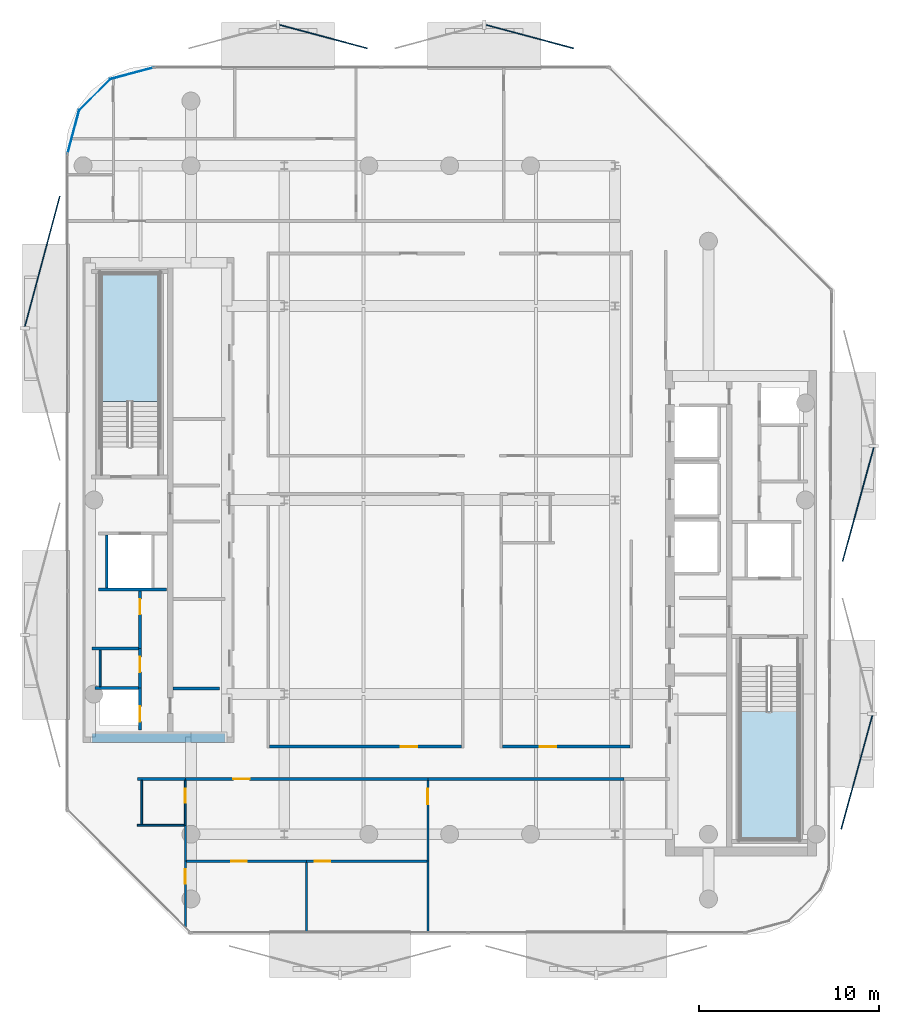
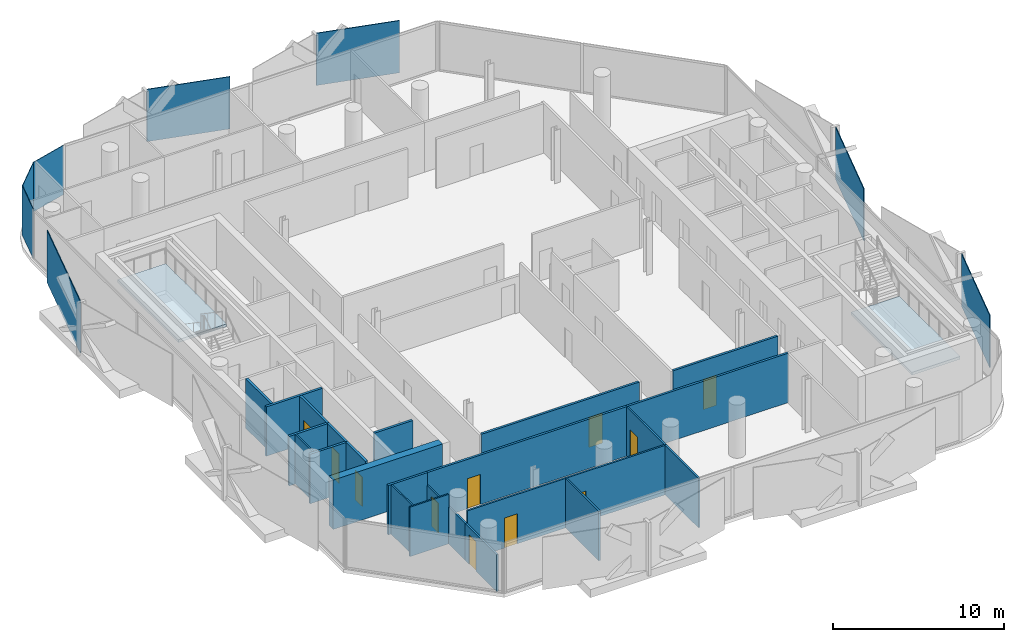
# One storey, part 4 of 16: 25 walls, 11 doors, 8 plates, 2 slabs, 11 openings, 2 elements without a shape of their own.
"""IFC4 building model written with IfcOpenShell, lengths in metres."""

from ifc_helpers import new_model, si_unit, direction, frame, frame_2d, origin, origin_2d, place, context, subcontext, project, spatial, polyline, rectangle, outline, extrude, material, layer, layer_set, type_object, element, fill, aggregate, save


model = new_model("IFC4")

# Units and contexts
model_context = context("Model", 3, precision=1e-05, world=origin(), true_north=direction((0.0, 1.0)))
body_context = subcontext(model_context, "Body", "Model", "MODEL_VIEW")
ifc_project = project(units=[si_unit("LENGTHUNIT", "METRE"), si_unit("AREAUNIT", "SQUARE_METRE"), si_unit("VOLUMEUNIT", "CUBIC_METRE"), si_unit("PLANEANGLEUNIT", "RADIAN"), si_unit("MASSUNIT", "GRAM", prefix="KILO")], contexts=[model_context])

# Site, building, storey
site_placement = place(None, origin())
site = spatial("IfcSite", under=ifc_project, at=site_placement, CompositionType="ELEMENT")
building_placement = place(site_placement, origin())
building = spatial("IfcBuilding", under=site, at=building_placement, Name="Khairoan Windgate Tower", CompositionType="ELEMENT")
storey_placement = place(building_placement, frame((0.0, 0.0, 292.800048828125)))
storey = spatial("IfcBuildingStorey", under=building, at=storey_placement, Name="L70", CompositionType="ELEMENT", Elevation=292.800048828125)

# Plates
ifc_material_1 = material(Name="Low-E Solar Control Laminated Glass", Category="glass")
ifc_layer_1 = layer(ifc_material_1, 0.030029296875, Name="Low-E Solar Control Laminated Glass")
ifc_layer_set_1 = layer_set([ifc_layer_1], Name="Low-E Solar Control Laminated Glass")
plate_type_1 = type_object("IfcPlateType", Name="Aerodynamic Wind-Corner Curved Glazing Plate", PredefinedType="USERDEFINED", material=ifc_layer_set_1)
plate_1_placement = place(storey_placement, frame((-20.940673828125, 20.485107421875, 0.0), z_axis=(0.0, 0.0, 1.0), x_axis=(0.258313252067, 0.966061211211, 0.0)))
element("IfcPlate", 1, at=plate_1_placement, inside=storey, type_object=plate_type_1, Name="L70 Aerodynamic Wind-Corner Curved Glazing Panel 4", ObjectType="GLAZING PANEL", PredefinedType="USERDEFINED", context=body_context, shape_type="SweptSolid", body=[
    extrude(rectangle(XDim=2.512451171875, YDim=0.035888671875, at=origin_2d()), origin(), (0.0, 0.0, 1.0), 3.5400390625),
])
plate_2_placement = place(storey_placement, frame((-19.750244140625, 22.55029296875, 0.0), z_axis=(0.0, 0.0, 1.0), x_axis=(0.707106781187, 0.707106781187, 0.0)))
element("IfcPlate", 2, at=plate_2_placement, inside=storey, type_object=plate_type_1, Name="L70 Aerodynamic Wind-Corner Curved Glazing Panel 5", ObjectType="GLAZING PANEL", PredefinedType="USERDEFINED", context=body_context, shape_type="SweptSolid", body=[
    extrude(rectangle(XDim=2.50341796875, YDim=0.035888671875, at=origin_2d()), origin(), (0.0, 0.0, 1.0), 3.5400390625),
])
plate_3_placement = place(storey_placement, frame((-17.68505859375, 23.740478515625, 0.0), z_axis=(0.0, 0.0, 1.0), x_axis=(0.966061211211, 0.258313252067, 0.0)))
element("IfcPlate", 3, at=plate_3_placement, inside=storey, type_object=plate_type_1, Name="L70 Aerodynamic Wind-Corner Curved Glazing Panel 6", ObjectType="GLAZING PANEL", PredefinedType="USERDEFINED", context=body_context, shape_type="SweptSolid", body=[
    extrude(rectangle(XDim=2.512451171875, YDim=0.035888671875, at=origin_2d()), origin(), (0.0, 0.0, 1.0), 3.5400390625),
])
ifc_material_2 = material(Name="Anodised Bronze Aluminium 6063-T6", Category="aluminium")
ifc_layer_2 = layer(ifc_material_2, 0.054931640625, Name="Anodised Bronze Aluminium 6063-T6")
ifc_layer_set_2 = layer_set([ifc_layer_2], Name="Anodised Bronze Aluminium 6063-T6")
plate_type_2 = type_object("IfcPlateType", Name="Perforated Bronze Solar Screen Upper Panel BSP-2", PredefinedType="USERDEFINED", material=ifc_layer_set_2)
plate_4_placement = place(storey_placement, frame((-22.668212890625, 13.274169921875, -0.10009765625), z_axis=(0.0, 0.0, 1.0), x_axis=(0.258819045103, 0.965925826289, 0.0)))
element("IfcPlate", 4, at=plate_4_placement, inside=storey, type_object=plate_type_2, Name="L70 Perforated Bronze Solar Screen Panel 489R", ObjectType="SCREEN", PredefinedType="USERDEFINED", context=body_context, shape_type="SweptSolid", body=[
    extrude(rectangle(XDim=7.509033203125, YDim=0.054931640625, at=origin_2d()), origin(), (0.0, 0.0, 1.0), 3.739990234375),
])
for number, where, z_axis, x_axis, name in (
    (5, (-7.023681640625, 25.78662109375, -0.10009765625), (0.0, 0.0, 1.0), (0.965925826289, -0.258819045103, 0.0), "L70 Perforated Bronze Solar Screen Panel 490R"),
    (6, (4.452880859375, 25.78662109375, -0.10009765625), (0.0, 0.0, 1.0), (0.965925826289, -0.258819045103, 0.0), "L70 Perforated Bronze Solar Screen Panel 491R"),
):
    element("IfcPlate", number, at=place(storey_placement, frame(where, z_axis=z_axis, x_axis=x_axis)), inside=storey, type_object=plate_type_2, Name=name, ObjectType="SCREEN", PredefinedType="USERDEFINED", context=body_context, shape_type="SweptSolid", body=[
        extrude(rectangle(XDim=5.050048828125, YDim=0.054931640625, at=origin_2d()), origin(), (0.0, 0.0, 1.0), 3.739990234375),
    ])
for number, where, z_axis, x_axis, name in (
    (7, (22.731201171875, -0.25, -0.10009765625), (0.0, 0.0, 1.0), (-0.263704698919, -0.964603458302, 0.0), "L70 Perforated Bronze Solar Screen Panel 492R"),
    (8, (22.65576171875, -15.146728515625, -0.10009765625), (0.0, 0.0, 1.0), (-0.263704698919, -0.964603458302, 0.0), "L70 Perforated Bronze Solar Screen Panel 493R"),
):
    element("IfcPlate", number, at=place(storey_placement, frame(where, z_axis=z_axis, x_axis=x_axis)), inside=storey, type_object=plate_type_2, Name=name, ObjectType="SCREEN", PredefinedType="USERDEFINED", context=body_context, shape_type="SweptSolid", body=[
        extrude(rectangle(XDim=6.554931640625, YDim=0.054931640625, at=origin_2d()), origin(), (0.0, 0.0, 1.0), 3.739990234375),
    ])

# Stair, slab
ifc_material_3 = material(Name="Concrete C40/50", Category="concrete")
stair_type = type_object("IfcStairType", Name="Tower Core Dog-Leg Stair ST-T1 1560mm", PredefinedType="HALF_TURN_STAIR", material=ifc_material_3)
stair_1_placement = place(storey_placement, origin())
stair_1 = element("IfcStair", 9, at=stair_1_placement, inside=storey, type_object=stair_type, Name="L70 Stair ST1", PredefinedType="HALF_TURN_STAIR")
ifc_material_4 = material(Name="Concrete C40/50", Category="concrete")
ifc_layer_3 = layer(ifc_material_4, 0.199951171875, Name="Concrete C40/50")
ifc_layer_set_3 = layer_set([ifc_layer_3], Name="Concrete C40/50")
slab_type = type_object("IfcSlabType", Name="Reinforced Concrete Stair Landing Slab STL-200", PredefinedType="LANDING", material=ifc_layer_set_3)
slab_1_placement = place(storey_placement, frame((0.0, 0.0, 1.699951171875)))
slab_1 = element("IfcSlab", 10, at=slab_1_placement, type_object=slab_type, Name="ST1 landing 1", PredefinedType="LANDING", context=body_context, shape_type="SweptSolid", body=[
    extrude(outline(polyline([(16.14990234375, -11.780029296875), (16.14990234375, -18.89990234375), (19.419921875, -18.89990234375), (19.419921875, -11.780029296875), (16.14990234375, -11.780029296875)])), origin(), (0.0, 0.0, 1.0), 0.199951171875),
])
aggregate(stair_1, [slab_1])

stair_2_placement = place(storey_placement, origin())
stair_2 = element("IfcStair", 11, at=stair_2_placement, inside=storey, type_object=stair_type, Name="L70 Stair ST2", PredefinedType="HALF_TURN_STAIR")
slab_2_placement = place(storey_placement, frame((0.0, 0.0, 1.699951171875)))
slab_2 = element("IfcSlab", 12, at=slab_2_placement, type_object=slab_type, Name="ST2 landing 1", PredefinedType="LANDING", context=body_context, shape_type="SweptSolid", body=[
    extrude(outline(polyline([(-16.14990234375, 5.47998046875), (-16.14990234375, 12.60009765625), (-19.419921875, 12.60009765625), (-19.419921875, 5.47998046875), (-16.14990234375, 5.47998046875)])), origin(), (0.0, 0.0, 1.0), 0.199951171875),
])
aggregate(stair_2, [slab_2])

# Wall
ifc_material_5 = material(Name="Moisture-Resistant Gypsum Partition", Category="gypsum")
ifc_layer_4 = layer(ifc_material_5, 0.10009765625, Name="Moisture-Resistant Gypsum Partition")
ifc_layer_set_4 = layer_set([ifc_layer_4], Name="Moisture-Resistant Gypsum Partition")
wall_type_1 = type_object("IfcWallType", Name="Bathroom Wet-Area Partition Wall", PredefinedType="PARTITIONING", material=ifc_layer_set_4)
wall_1_placement = place(storey_placement, frame((-17.3798828125, -18.10009765625, 0.0), z_axis=(0.0, 0.0, 1.0), x_axis=(1.0, 0.0, 0.0)))
element("IfcWall", 13, at=wall_1_placement, inside=storey, type_object=wall_type_1, Name="L70 Interior Partition 049", PredefinedType="PARTITIONING", context=body_context, shape_type="SweptSolid", body=[
    extrude(rectangle(XDim=2.619873046875, YDim=0.10009765625, at=frame_2d((1.31005859375, 0.0))), origin(), (0.0, 0.0, 1.0), 3.5400390625),
])

# Wall, opening, door
wall_2_placement = place(storey_placement, frame((-14.7099609375, -18.10009765625, 0.0), z_axis=(0.0, 0.0, 1.0), x_axis=(0.0, 1.0, 0.0)))
wall_2 = element("IfcWall", 14, at=wall_2_placement, inside=storey, type_object=wall_type_1, Name="L70 Interior Partition 050", PredefinedType="PARTITIONING", context=body_context, shape_type="SweptSolid", body=[
    extrude(rectangle(XDim=2.5, YDim=0.10009765625, at=frame_2d((1.25, 0.0))), origin(), (0.0, 0.0, 1.0), 2.639892578125),
])
opening_1_placement = place(wall_2_placement, frame((1.239990234375, 0.0, 0.0)))
opening_1 = element("IfcOpeningElement", 15, at=opening_1_placement, cuts=wall_2, Name="Opening ID-BTH", PredefinedType="OPENING", context=body_context, shape_type="SweptSolid", body=[
    extrude(rectangle(XDim=0.800048828125, YDim=2.10009765625, at=frame_2d((0.39990234375, 1.050048828125))), frame((0.0, 0.06005859375, 0.0), z_axis=(0.0, -1.0, 0.0), x_axis=(1.0, 0.0, 0.0)), (0.0, 0.0, 1.0), 0.1201171875),
])
ifc_material_6 = material(Name="Teak Veneer Timber Leaf", Category="wood")
door_type_1 = type_object("IfcDoorType", Name="Internal Bathroom Door ID-BTH 800x2100", OperationType="NOTDEFINED", PredefinedType="DOOR", material=ifc_material_6)
door_1_placement = place(opening_1_placement, origin())
door_1 = element("IfcDoor", 16, at=door_1_placement, inside=storey, type_object=door_type_1, Name="L70 L70-42-L70-44 Door", OperationType="SINGLE_SWING_LEFT", OverallHeight=2.10009765625, OverallWidth=0.800048828125, PredefinedType="DOOR", context=body_context, shape_type="SweptSolid", body=[
    extrude(rectangle(XDim=0.800048828125, YDim=2.10009765625, at=frame_2d((0.39990234375, 1.050048828125))), frame((0.0, 0.02490234375, 0.0), z_axis=(0.0, -1.0, 0.0), x_axis=(1.0, 0.0, 0.0)), (0.0, 0.0, 1.0), 0.050048828125),
])
fill(opening_1, door_1)

# Walls
wall_3_placement = place(storey_placement, frame((-19.449951171875, -10.389892578125, 0.0), z_axis=(0.0, 0.0, 1.0), x_axis=(0.0, 1.0, 0.0)))
element("IfcWall", 17, at=wall_3_placement, inside=storey, type_object=wall_type_1, Name="L70 Wet Room Side Wall 060", PredefinedType="PARTITIONING", context=body_context, shape_type="SweptSolid", body=[
    extrude(rectangle(XDim=2.039794921875, YDim=0.10009765625, at=frame_2d((1.02001953125, 0.0))), origin(), (0.0, 0.0, 1.0), 3.5400390625),
])
wall_4_placement = place(storey_placement, frame((-17.139892578125, -18.050048828125, 0.0), z_axis=(0.0, 0.0, 1.0), x_axis=(0.0, 1.0, 0.0)))
element("IfcWall", 18, at=wall_4_placement, inside=storey, type_object=wall_type_1, Name="L70 Wet Room Side Wall 062", PredefinedType="PARTITIONING", context=body_context, shape_type="SweptSolid", body=[
    extrude(rectangle(XDim=2.449951171875, YDim=0.10009765625, at=frame_2d((1.22509765625, 0.0))), origin(), (0.0, 0.0, 1.0), 3.5400390625),
])
ifc_material_7 = material(Name="Concrete C40/50", Category="concrete")
ifc_layer_5 = layer(ifc_material_7, 0.159912109375, Name="Concrete C40/50")
ifc_layer_set_5 = layer_set([ifc_layer_5], Name="Concrete C40/50")
wall_type_2 = type_object("IfcWallType", Name="Core and Hoistway Enclosure Wall", PredefinedType="STANDARD", material=ifc_layer_set_5)
wall_5_placement = place(storey_placement, frame((-19.550048828125, -4.97998046875, 0.0), z_axis=(0.0, 0.0, 1.0), x_axis=(1.0, 0.0, 0.0)))
element("IfcWall", 19, at=wall_5_placement, inside=storey, type_object=wall_type_2, Name="L70 Core Shaft Wall SW-FL2B-L70", PredefinedType="STANDARD", context=body_context, shape_type="SweptSolid", body=[
    extrude(rectangle(XDim=3.800048828125, YDim=0.159912109375, at=frame_2d((1.89990234375, 0.0))), origin(), (0.0, 0.0, 1.0), 3.5400390625),
])
wall_6_placement = place(storey_placement, frame((-19.080078125, -4.89990234375, 0.0), z_axis=(0.0, 0.0, 1.0), x_axis=(0.0, 1.0, 0.0)))
element("IfcWall", 20, at=wall_6_placement, inside=storey, type_object=wall_type_2, Name="L70 Core Shaft Wall SW-FL2W-L70", PredefinedType="STANDARD", context=body_context, shape_type="SweptSolid", body=[
    extrude(rectangle(XDim=2.9599609375, YDim=0.159912109375, at=frame_2d((1.47998046875, 0.0))), origin(), (0.0, 0.0, 1.0), 3.5400390625),
])
wall_7_placement = place(storey_placement, frame((-15.39990234375, -10.47998046875, 0.0), z_axis=(0.0, 0.0, 1.0), x_axis=(1.0, 0.0, 0.0)))
element("IfcWall", 21, at=wall_7_placement, inside=storey, type_object=wall_type_2, Name="L70 Core Shaft Wall SW-WSV-L70", PredefinedType="STANDARD", context=body_context, shape_type="SweptSolid", body=[
    extrude(rectangle(XDim=2.599853515625, YDim=0.159912109375, at=frame_2d((1.2998046875, 0.0))), origin(), (0.0, 0.0, 1.0), 3.5400390625),
])
ifc_material_8 = material(Name="Gypsum Stud Partition", Category="gypsum")
ifc_layer_6 = layer(ifc_material_8, 0.1201171875, Name="Gypsum Stud Partition")
ifc_layer_set_6 = layer_set([ifc_layer_6], Name="Gypsum Stud Partition")
wall_type_3 = type_object("IfcWallType", Name="Internal Room Partition Wall", PredefinedType="PARTITIONING", material=ifc_layer_set_6)
wall_8_placement = place(storey_placement, frame((-14.7099609375, -20.10009765625, 0.0), z_axis=(0.0, 0.0, 1.0), x_axis=(0.0, 1.0, 0.0)))
element("IfcWall", 22, at=wall_8_placement, inside=storey, type_object=wall_type_3, Name="L70 Interior Partition 051", PredefinedType="PARTITIONING", context=body_context, shape_type="SweptSolid", body=[
    extrude(rectangle(XDim=2.0, YDim=0.1201171875, at=frame_2d((1.0, 0.0))), origin(), (0.0, 0.0, 1.0), 2.639892578125),
])

# Wall, opening, door
wall_9_placement = place(storey_placement, frame((-14.7099609375, -23.787109375, 0.0), z_axis=(0.0, 0.0, 1.0), x_axis=(0.0, 1.0, 0.0)))
wall_9 = element("IfcWall", 23, at=wall_9_placement, inside=storey, type_object=wall_type_3, Name="L70 Interior Partition 052", PredefinedType="PARTITIONING", context=body_context, shape_type="SweptSolid", body=[
    extrude(rectangle(XDim=3.68701171875, YDim=0.1201171875, at=frame_2d((1.843505859375, 0.0))), origin(), (0.0, 0.0, 1.0), 2.639892578125),
])
opening_2_placement = place(wall_9_placement, frame((2.427001953125, 0.0, 0.0)))
opening_2 = element("IfcOpeningElement", 24, at=opening_2_placement, cuts=wall_9, Name="Opening ID-BTH", PredefinedType="OPENING", context=body_context, shape_type="SweptSolid", body=[
    extrude(rectangle(XDim=0.800048828125, YDim=2.10009765625, at=frame_2d((0.39990234375, 1.050048828125))), frame((0.0, 0.070068359375, 0.0), z_axis=(0.0, -1.0, 0.0), x_axis=(1.0, 0.0, 0.0)), (0.0, 0.0, 1.0), 0.14013671875),
])
door_2_placement = place(opening_2_placement, origin())
door_2 = element("IfcDoor", 25, at=door_2_placement, inside=storey, type_object=door_type_1, Name="L70 L70-43-L70-47 Door", OperationType="SINGLE_SWING_RIGHT", OverallHeight=2.10009765625, OverallWidth=0.800048828125, PredefinedType="DOOR", context=body_context, shape_type="SweptSolid", body=[
    extrude(rectangle(XDim=0.800048828125, YDim=2.10009765625, at=frame_2d((0.39990234375, 1.050048828125))), frame((0.0, 0.02490234375, 0.0), z_axis=(0.0, -1.0, 0.0), x_axis=(1.0, 0.0, 0.0)), (0.0, 0.0, 1.0), 0.050048828125),
])
fill(opening_2, door_2)

wall_10_placement = place(storey_placement, frame((-1.2099609375, -20.10009765625, 0.0), z_axis=(0.0, 0.0, 1.0), x_axis=(0.0, 1.0, 0.0)))
wall_10 = element("IfcWall", 26, at=wall_10_placement, inside=storey, type_object=wall_type_3, Name="L70 Interior Partition 053", PredefinedType="PARTITIONING", context=body_context, shape_type="SweptSolid", body=[
    extrude(rectangle(XDim=4.5, YDim=0.1201171875, at=frame_2d((2.25, 0.0))), origin(), (0.0, 0.0, 1.0), 3.5400390625),
])
opening_3_placement = place(wall_10_placement, frame((3.179931640625, 0.0, 0.0)))
opening_3 = element("IfcOpeningElement", 27, at=opening_3_placement, cuts=wall_10, Name="Opening ID-RM", PredefinedType="OPENING", context=body_context, shape_type="SweptSolid", body=[
    extrude(rectangle(XDim=0.860107421875, YDim=2.14990234375, at=frame_2d((0.43017578125, 1.074951171875))), frame((0.0, 0.070068359375, 0.0), z_axis=(0.0, -1.0, 0.0), x_axis=(1.0, 0.0, 0.0)), (0.0, 0.0, 1.0), 0.14013671875),
])
ifc_material_9 = material(Name="Teak Veneer Timber Leaf", Category="wood")
door_type_2 = type_object("IfcDoorType", Name="Internal Bedroom and Office Door ID-RM 860x2150", OperationType="NOTDEFINED", PredefinedType="DOOR", material=ifc_material_9)
door_3_placement = place(opening_3_placement, origin())
door_3 = element("IfcDoor", 28, at=door_3_placement, inside=storey, type_object=door_type_2, Name="L70 L70-44-L70-45 Door", OperationType="SINGLE_SWING_LEFT", OverallHeight=2.14990234375, OverallWidth=0.860107421875, PredefinedType="DOOR", context=body_context, shape_type="SweptSolid", body=[
    extrude(rectangle(XDim=0.860107421875, YDim=2.14990234375, at=frame_2d((0.43017578125, 1.074951171875))), frame((0.0, 0.02490234375, 0.0), z_axis=(0.0, -1.0, 0.0), x_axis=(1.0, 0.0, 0.0)), (0.0, 0.0, 1.0), 0.050048828125),
])
fill(opening_3, door_3)

wall_11_placement = place(storey_placement, frame((-14.64990234375, -20.10009765625, 0.0), z_axis=(0.0, 0.0, 1.0), x_axis=(1.0, 0.0, 0.0)))
wall_11 = element("IfcWall", 29, at=wall_11_placement, inside=storey, type_object=wall_type_3, Name="L70 Interior Partition 054", PredefinedType="PARTITIONING", context=body_context, shape_type="SweptSolid", body=[
    extrude(rectangle(XDim=6.68994140625, YDim=0.1201171875, at=frame_2d((3.344970703125, 0.0))), origin(), (0.0, 0.0, 1.0), 3.5400390625),
])
opening_4_placement = place(wall_11_placement, frame((2.505859375, 0.0, 0.0)))
opening_4 = element("IfcOpeningElement", 30, at=opening_4_placement, cuts=wall_11, Name="Opening ID-RM", PredefinedType="OPENING", context=body_context, shape_type="SweptSolid", body=[
    extrude(rectangle(XDim=0.860107421875, YDim=2.14990234375, at=frame_2d((0.43017578125, 1.074951171875))), frame((0.0, 0.070068359375, 0.0), z_axis=(0.0, -1.0, 0.0), x_axis=(1.0, 0.0, 0.0)), (0.0, 0.0, 1.0), 0.14013671875),
])
door_4_placement = place(opening_4_placement, origin())
door_4 = element("IfcDoor", 31, at=door_4_placement, inside=storey, type_object=door_type_2, Name="L70 L70-44-L70-47 Door", OperationType="SINGLE_SWING_RIGHT", OverallHeight=2.14990234375, OverallWidth=0.860107421875, PredefinedType="DOOR", context=body_context, shape_type="SweptSolid", body=[
    extrude(rectangle(XDim=0.860107421875, YDim=2.14990234375, at=frame_2d((0.43017578125, 1.074951171875))), frame((0.0, 0.02490234375, 0.0), z_axis=(0.0, -1.0, 0.0), x_axis=(1.0, 0.0, 0.0)), (0.0, 0.0, 1.0), 0.050048828125),
])
fill(opening_4, door_4)

wall_12_placement = place(storey_placement, frame((-7.9599609375, -20.10009765625, 0.0), z_axis=(0.0, 0.0, 1.0), x_axis=(1.0, 0.0, 0.0)))
wall_12 = element("IfcWall", 32, at=wall_12_placement, inside=storey, type_object=wall_type_3, Name="L70 Interior Partition 055", PredefinedType="PARTITIONING", context=body_context, shape_type="SweptSolid", body=[
    extrude(rectangle(XDim=6.68994140625, YDim=0.1201171875, at=frame_2d((3.344970703125, 0.0))), origin(), (0.0, 0.0, 1.0), 3.5400390625),
])
opening_5_placement = place(wall_12_placement, frame((0.4599609375, 0.0, 0.0)))
opening_5 = element("IfcOpeningElement", 33, at=opening_5_placement, cuts=wall_12, Name="Opening ID-RM", PredefinedType="OPENING", context=body_context, shape_type="SweptSolid", body=[
    extrude(rectangle(XDim=0.860107421875, YDim=2.14990234375, at=frame_2d((0.43017578125, 1.074951171875))), frame((0.0, 0.070068359375, 0.0), z_axis=(0.0, -1.0, 0.0), x_axis=(1.0, 0.0, 0.0)), (0.0, 0.0, 1.0), 0.14013671875),
])
door_5_placement = place(opening_5_placement, origin())
door_5 = element("IfcDoor", 34, at=door_5_placement, inside=storey, type_object=door_type_2, Name="L70 L70-44-L70-48 Door", OperationType="SINGLE_SWING_LEFT", OverallHeight=2.14990234375, OverallWidth=0.860107421875, PredefinedType="DOOR", context=body_context, shape_type="SweptSolid", body=[
    extrude(rectangle(XDim=0.860107421875, YDim=2.14990234375, at=frame_2d((0.43017578125, 1.074951171875))), frame((0.0, 0.02490234375, 0.0), z_axis=(0.0, -1.0, 0.0), x_axis=(1.0, 0.0, 0.0)), (0.0, 0.0, 1.0), 0.050048828125),
])
fill(opening_5, door_5)

# Walls
wall_13_placement = place(storey_placement, frame((-1.2099609375, -24.054931640625, 0.0), z_axis=(0.0, 0.0, 1.0), x_axis=(0.0, 1.0, 0.0)))
element("IfcWall", 35, at=wall_13_placement, inside=storey, type_object=wall_type_3, Name="L70 Interior Partition 057", PredefinedType="PARTITIONING", context=body_context, shape_type="SweptSolid", body=[
    extrude(rectangle(XDim=3.954833984375, YDim=0.1201171875, at=frame_2d((1.9775390625, 0.0))), origin(), (0.0, 0.0, 1.0), 3.5400390625),
])
wall_14_placement = place(storey_placement, frame((-7.9599609375, -24.054931640625, 0.0), z_axis=(0.0, 0.0, 1.0), x_axis=(0.0, 1.0, 0.0)))
element("IfcWall", 36, at=wall_14_placement, inside=storey, type_object=wall_type_3, Name="L70 Interior Partition 058", PredefinedType="PARTITIONING", context=body_context, shape_type="SweptSolid", body=[
    extrude(rectangle(XDim=3.89501953125, YDim=0.1201171875, at=frame_2d((1.947509765625, 0.0))), origin(), (0.0, 0.0, 1.0), 3.5400390625),
])

# Wall, opening, door
ifc_material_10 = material(Name="Concrete C40/50", Category="concrete")
ifc_layer_7 = layer(ifc_material_10, 0.159912109375, Name="Concrete C40/50")
ifc_layer_set_7 = layer_set([ifc_layer_7], Name="Concrete C40/50")
wall_type_4 = type_object("IfcWallType", Name="Plant and Refuge Compartment Wall", PredefinedType="PARTITIONING", material=ifc_layer_set_7)
wall_15_placement = place(storey_placement, frame((-17.22998046875, -12.7900390625, 0.0), z_axis=(0.0, 0.0, 1.0), x_axis=(0.0, 1.0, 0.0)))
wall_15 = element("IfcWall", 37, at=wall_15_placement, inside=storey, type_object=wall_type_4, Name="L70 Interior Partition 001", PredefinedType="PARTITIONING", context=body_context, shape_type="SweptSolid", body=[
    extrude(rectangle(XDim=2.320068359375, YDim=0.159912109375, at=frame_2d((1.16015625, 0.0))), origin(), (0.0, 0.0, 1.0), 3.5400390625),
])
opening_6_placement = place(wall_15_placement, frame((0.4599609375, 0.0, 0.0)))
opening_6 = element("IfcOpeningElement", 38, at=opening_6_placement, cuts=wall_15, Name="Opening FD-SRV", PredefinedType="OPENING", context=body_context, shape_type="SweptSolid", body=[
    extrude(rectangle(XDim=0.85009765625, YDim=2.10009765625, at=frame_2d((0.425048828125, 1.050048828125))), frame((0.0, 0.08984375, 0.0), z_axis=(0.0, -1.0, 0.0), x_axis=(1.0, 0.0, 0.0)), (0.0, 0.0, 1.0), 0.179931640625),
])
ifc_material_11 = material(Name="Steel S355", Category="steel")
door_type_3 = type_object("IfcDoorType", Name="Core Service and Riser Fire Door FD-SRV 850x2100", OperationType="NOTDEFINED", PredefinedType="DOOR", material=ifc_material_11)
door_6_placement = place(opening_6_placement, origin())
door_6 = element("IfcDoor", 39, at=door_6_placement, inside=storey, type_object=door_type_3, Name="L70 L70-04-L70-05 Door", OperationType="SINGLE_SWING_RIGHT", OverallHeight=2.10009765625, OverallWidth=0.85009765625, PredefinedType="DOOR", context=body_context, shape_type="SweptSolid", body=[
    extrude(rectangle(XDim=0.85009765625, YDim=2.10009765625, at=frame_2d((0.425048828125, 1.050048828125))), frame((0.0, 0.02490234375, 0.0), z_axis=(0.0, -1.0, 0.0), x_axis=(1.0, 0.0, 0.0)), (0.0, 0.0, 1.0), 0.050048828125),
])
fill(opening_6, door_6)

wall_16_placement = place(storey_placement, frame((-17.22998046875, -10.469970703125, 0.0), z_axis=(0.0, 0.0, 1.0), x_axis=(0.0, 1.0, 0.0)))
wall_16 = element("IfcWall", 40, at=wall_16_placement, inside=storey, type_object=wall_type_4, Name="L70 Interior Partition 002", PredefinedType="PARTITIONING", context=body_context, shape_type="SweptSolid", body=[
    extrude(rectangle(XDim=2.199951171875, YDim=0.159912109375, at=frame_2d((1.10009765625, 0.0))), origin(), (0.0, 0.0, 1.0), 3.5400390625),
])
opening_7_placement = place(wall_16_placement, frame((0.889892578125, 0.0, 0.0)))
opening_7 = element("IfcOpeningElement", 41, at=opening_7_placement, cuts=wall_16, Name="Opening FD-SRV", PredefinedType="OPENING", context=body_context, shape_type="SweptSolid", body=[
    extrude(rectangle(XDim=0.85009765625, YDim=2.10009765625, at=frame_2d((0.425048828125, 1.050048828125))), frame((0.0, 0.08984375, 0.0), z_axis=(0.0, -1.0, 0.0), x_axis=(1.0, 0.0, 0.0)), (0.0, 0.0, 1.0), 0.179931640625),
])
door_7_placement = place(opening_7_placement, origin())
door_7 = element("IfcDoor", 42, at=door_7_placement, inside=storey, type_object=door_type_3, Name="L70 L70-04-L70-06 Door", OperationType="SINGLE_SWING_LEFT", OverallHeight=2.10009765625, OverallWidth=0.85009765625, PredefinedType="DOOR", context=body_context, shape_type="SweptSolid", body=[
    extrude(rectangle(XDim=0.85009765625, YDim=2.10009765625, at=frame_2d((0.425048828125, 1.050048828125))), frame((0.0, 0.02490234375, 0.0), z_axis=(0.0, -1.0, 0.0), x_axis=(1.0, 0.0, 0.0)), (0.0, 0.0, 1.0), 0.050048828125),
])
fill(opening_7, door_7)

wall_17_placement = place(storey_placement, frame((-17.22998046875, -8.27001953125, 0.0), z_axis=(0.0, 0.0, 1.0), x_axis=(0.0, 1.0, 0.0)))
wall_17 = element("IfcWall", 43, at=wall_17_placement, inside=storey, type_object=wall_type_4, Name="L70 Interior Partition 003", PredefinedType="PARTITIONING", context=body_context, shape_type="SweptSolid", body=[
    extrude(rectangle(XDim=3.2099609375, YDim=0.159912109375, at=frame_2d((1.60498046875, 0.0))), origin(), (0.0, 0.0, 1.0), 3.5400390625),
])
opening_8_placement = place(wall_17_placement, frame((1.89990234375, 0.0, 0.0)))
opening_8 = element("IfcOpeningElement", 44, at=opening_8_placement, cuts=wall_17, Name="Opening FD-SRV", PredefinedType="OPENING", context=body_context, shape_type="SweptSolid", body=[
    extrude(rectangle(XDim=0.85009765625, YDim=2.10009765625, at=frame_2d((0.425048828125, 1.050048828125))), frame((0.0, 0.08984375, 0.0), z_axis=(0.0, -1.0, 0.0), x_axis=(1.0, 0.0, 0.0)), (0.0, 0.0, 1.0), 0.179931640625),
])
door_8_placement = place(opening_8_placement, origin())
door_8 = element("IfcDoor", 45, at=door_8_placement, inside=storey, type_object=door_type_3, Name="L70 L70-04-L70-07 Door", OperationType="SINGLE_SWING_RIGHT", OverallHeight=2.10009765625, OverallWidth=0.85009765625, PredefinedType="DOOR", context=body_context, shape_type="SweptSolid", body=[
    extrude(rectangle(XDim=0.85009765625, YDim=2.10009765625, at=frame_2d((0.425048828125, 1.050048828125))), frame((0.0, 0.02490234375, 0.0), z_axis=(0.0, -1.0, 0.0), x_axis=(1.0, 0.0, 0.0)), (0.0, 0.0, 1.0), 0.050048828125),
])
fill(opening_8, door_8)

# Walls
wall_18_placement = place(storey_placement, frame((-19.75, -10.469970703125, 0.0), z_axis=(0.0, 0.0, 1.0), x_axis=(1.0, 0.0, 0.0)))
element("IfcWall", 46, at=wall_18_placement, inside=storey, type_object=wall_type_4, Name="L70 Interior Partition 004", PredefinedType="PARTITIONING", context=body_context, shape_type="SweptSolid", body=[
    extrude(rectangle(XDim=2.43994140625, YDim=0.159912109375, at=frame_2d((1.219970703125, 0.0))), origin(), (0.0, 0.0, 1.0), 3.5400390625),
])
wall_19_placement = place(storey_placement, frame((-19.89990234375, -8.27001953125, 0.0), z_axis=(0.0, 0.0, 1.0), x_axis=(1.0, 0.0, 0.0)))
element("IfcWall", 47, at=wall_19_placement, inside=storey, type_object=wall_type_4, Name="L70 Interior Partition 005", PredefinedType="PARTITIONING", context=body_context, shape_type="SweptSolid", body=[
    extrude(rectangle(XDim=2.58984375, YDim=0.159912109375, at=frame_2d((1.294921875, 0.0))), origin(), (0.0, 0.0, 1.0), 3.5400390625),
])
ifc_material_12 = material(Name="Acoustic Fire-Rated Gypsum Partition", Category="gypsum")
ifc_layer_8 = layer(ifc_material_12, 0.14990234375, Name="Acoustic Fire-Rated Gypsum Partition")
ifc_layer_set_8 = layer_set([ifc_layer_8], Name="Acoustic Fire-Rated Gypsum Partition")
wall_type_5 = type_object("IfcWallType", Name="Rated Corridor Partition Wall", PredefinedType="PARTITIONING", material=ifc_layer_set_8)
wall_20_placement = place(storey_placement, frame((-17.3798828125, -15.52490234375, 0.0), z_axis=(0.0, 0.0, 1.0), x_axis=(1.0, 0.0, 0.0)))
element("IfcWall", 48, at=wall_20_placement, inside=storey, type_object=wall_type_5, Name="L70 Interior Partition 033", PredefinedType="PARTITIONING", context=body_context, shape_type="SweptSolid", body=[
    extrude(rectangle(XDim=2.669921875, YDim=0.14990234375, at=frame_2d((1.3349609375, 0.0))), origin(), (0.0, 0.0, 1.0), 3.5400390625),
])

# Wall, opening, door
wall_21_placement = place(storey_placement, frame((-14.7099609375, -15.52490234375, 0.0), z_axis=(0.0, 0.0, 1.0), x_axis=(1.0, 0.0, 0.0)))
wall_21 = element("IfcWall", 49, at=wall_21_placement, inside=storey, type_object=wall_type_5, Name="L70 Interior Partition 034", PredefinedType="PARTITIONING", context=body_context, shape_type="SweptSolid", body=[
    extrude(rectangle(XDim=13.5, YDim=0.14990234375, at=frame_2d((6.75, 0.0))), origin(), (0.0, 0.0, 1.0), 3.5400390625),
])
opening_9_placement = place(wall_21_placement, frame((2.67529296875, 0.0, 0.0)))
opening_9 = element("IfcOpeningElement", 50, at=opening_9_placement, cuts=wall_21, Name="Opening FD-ENT", PredefinedType="OPENING", context=body_context, shape_type="SweptSolid", body=[
    extrude(rectangle(XDim=0.89990234375, YDim=2.14990234375, at=frame_2d((0.449951171875, 1.074951171875))), frame((0.0, 0.0849609375, 0.0), z_axis=(0.0, -1.0, 0.0), x_axis=(1.0, 0.0, 0.0)), (0.0, 0.0, 1.0), 0.169921875),
])
ifc_material_13 = material(Name="Timber Fire-Rated Core", Category="wood")
door_type_4 = type_object("IfcDoorType", Name="Unit and Office Fire Entrance Door FD-ENT 900x2150", OperationType="NOTDEFINED", PredefinedType="DOOR", material=ifc_material_13)
door_9_placement = place(opening_9_placement, origin())
door_9 = element("IfcDoor", 51, at=door_9_placement, inside=storey, type_object=door_type_4, Name="L70 L70-34-L70-44 Door", OperationType="SINGLE_SWING_LEFT", OverallHeight=2.14990234375, OverallWidth=0.89990234375, PredefinedType="DOOR", context=body_context, shape_type="SweptSolid", body=[
    extrude(rectangle(XDim=0.89990234375, YDim=2.14990234375, at=frame_2d((0.449951171875, 1.074951171875))), frame((0.0, 0.02490234375, 0.0), z_axis=(0.0, -1.0, 0.0), x_axis=(1.0, 0.0, 0.0)), (0.0, 0.0, 1.0), 0.050048828125),
])
fill(opening_9, door_9)

# Wall
wall_22_placement = place(storey_placement, frame((-1.2099609375, -15.52490234375, 0.0), z_axis=(0.0, 0.0, 1.0), x_axis=(1.0, 0.0, 0.0)))
element("IfcWall", 52, at=wall_22_placement, inside=storey, type_object=wall_type_5, Name="L70 Interior Partition 035", PredefinedType="PARTITIONING", context=body_context, shape_type="SweptSolid", body=[
    extrude(rectangle(XDim=10.9150390625, YDim=0.14990234375, at=frame_2d((5.45751953125, 0.0))), origin(), (0.0, 0.0, 1.0), 3.5400390625),
])

# Wall, opening, door
wall_23_placement = place(storey_placement, frame((-10.02490234375, -13.719970703125, 0.0), z_axis=(0.0, 0.0, 1.0), x_axis=(1.0, 0.0, 0.0)))
wall_23 = element("IfcWall", 53, at=wall_23_placement, inside=storey, type_object=wall_type_5, Name="L70 Interior Partition 037", PredefinedType="PARTITIONING", context=body_context, shape_type="SweptSolid", body=[
    extrude(rectangle(XDim=10.684814453125, YDim=0.14990234375, at=frame_2d((5.34228515625, 0.0))), origin(), (0.0, 0.0, 1.0), 3.5400390625),
])
opening_10_placement = place(wall_23_placement, frame((7.310302734375, 0.0, 0.0)))
opening_10 = element("IfcOpeningElement", 54, at=opening_10_placement, cuts=wall_23, Name="Opening FD-ENT", PredefinedType="OPENING", context=body_context, shape_type="SweptSolid", body=[
    extrude(rectangle(XDim=0.89990234375, YDim=2.14990234375, at=frame_2d((0.449951171875, 1.074951171875))), frame((0.0, 0.0849609375, 0.0), z_axis=(0.0, -1.0, 0.0), x_axis=(1.0, 0.0, 0.0)), (0.0, 0.0, 1.0), 0.169921875),
])
door_10_placement = place(opening_10_placement, origin())
door_10 = element("IfcDoor", 55, at=door_10_placement, inside=storey, type_object=door_type_4, Name="L70 L70-34-L70-51 Door", OperationType="SINGLE_SWING_RIGHT", OverallHeight=2.14990234375, OverallWidth=0.89990234375, PredefinedType="DOOR", context=body_context, shape_type="SweptSolid", body=[
    extrude(rectangle(XDim=0.89990234375, YDim=2.14990234375, at=frame_2d((0.449951171875, 1.074951171875))), frame((0.0, 0.02490234375, 0.0), z_axis=(0.0, -1.0, 0.0), x_axis=(1.0, 0.0, 0.0)), (0.0, 0.0, 1.0), 0.050048828125),
])
fill(opening_10, door_10)

wall_24_placement = place(storey_placement, frame((2.93994140625, -13.719970703125, 0.0), z_axis=(0.0, 0.0, 1.0), x_axis=(1.0, 0.0, 0.0)))
wall_24 = element("IfcWall", 56, at=wall_24_placement, inside=storey, type_object=wall_type_5, Name="L70 Interior Partition 038", PredefinedType="PARTITIONING", context=body_context, shape_type="SweptSolid", body=[
    extrude(rectangle(XDim=7.0849609375, YDim=0.14990234375, at=frame_2d((3.54248046875, 0.0))), origin(), (0.0, 0.0, 1.0), 3.5400390625),
])
opening_11_placement = place(wall_24_placement, frame((2.080078125, 0.0, 0.0)))
opening_11 = element("IfcOpeningElement", 57, at=opening_11_placement, cuts=wall_24, Name="Opening FD-ENT", PredefinedType="OPENING", context=body_context, shape_type="SweptSolid", body=[
    extrude(rectangle(XDim=0.89990234375, YDim=2.14990234375, at=frame_2d((0.449951171875, 1.074951171875))), frame((0.0, 0.0849609375, 0.0), z_axis=(0.0, -1.0, 0.0), x_axis=(1.0, 0.0, 0.0)), (0.0, 0.0, 1.0), 0.169921875),
])
door_11_placement = place(opening_11_placement, origin())
door_11 = element("IfcDoor", 58, at=door_11_placement, inside=storey, type_object=door_type_4, Name="L70 L70-34-L70-54 Door", OperationType="SINGLE_SWING_LEFT", OverallHeight=2.14990234375, OverallWidth=0.89990234375, PredefinedType="DOOR", context=body_context, shape_type="SweptSolid", body=[
    extrude(rectangle(XDim=0.89990234375, YDim=2.14990234375, at=frame_2d((0.449951171875, 1.074951171875))), frame((0.0, 0.02490234375, 0.0), z_axis=(0.0, -1.0, 0.0), x_axis=(1.0, 0.0, 0.0)), (0.0, 0.0, 1.0), 0.050048828125),
])
fill(opening_11, door_11)

# Wall
ifc_material_14 = material(Name="Concrete C50/60", Category="concrete")
ifc_layer_9 = layer(ifc_material_14, 0.5, Name="Concrete C50/60")
ifc_layer_set_9 = layer_set([ifc_layer_9], Name="Concrete C50/60")
wall_type_6 = type_object("IfcWallType", Name="Shear Wall CW-W3 500mm", PredefinedType="SHEAR", material=ifc_layer_set_9)
wall_25_placement = place(storey_placement, frame((-19.89990234375, -13.25, 0.0), z_axis=(0.0, 0.0, 1.0), x_axis=(1.0, 0.0, 0.0)))
element("IfcWall", 59, at=wall_25_placement, inside=storey, type_object=wall_type_6, Name="W Core South Shear Wall L70", PredefinedType="SHEAR", context=body_context, shape_type="SweptSolid", body=[
    extrude(rectangle(XDim=7.39990234375, YDim=0.5, at=frame_2d((3.699951171875, 0.0))), origin(), (0.0, 0.0, 1.0), 3.5400390625),
])

save(model, "model.ifc")
